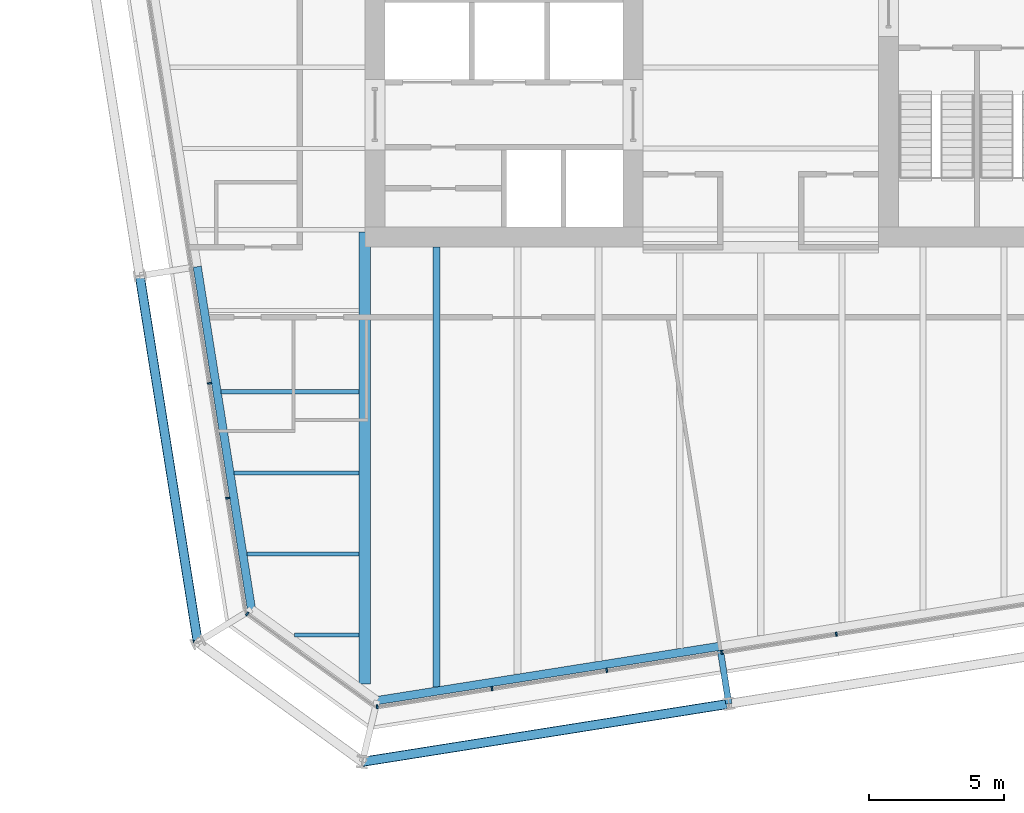
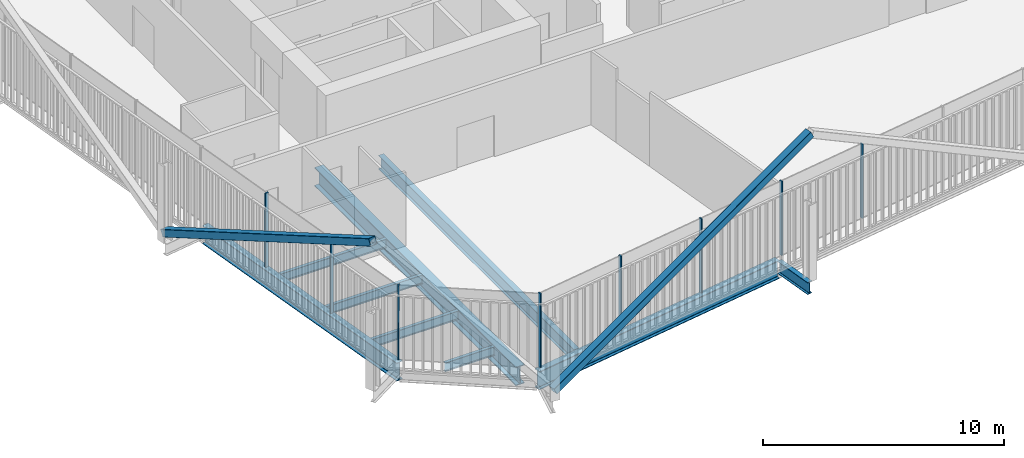
# One storey, part 2 of 22: 10 members, 9 beams, 3 elements without a shape of their own.
"""IFC4 building model written with IfcOpenShell, lengths in metres."""

import ifcopenshell
import ifcopenshell.guid

model = None  # the IFC model being written
_history = None  # IfcOwnerHistory: only IFC2X3 demands one
_inside = {}  # id of a spatial element -> (the spatial element, [elements in it])
_under = {}  # id of a project, library or spatial element -> (it, [spatial elements below it])
_declared = {}  # id of a project -> (the project, [libraries it declares])
_typed = {}  # id of a type object -> (the type object, [elements of that type])
_made_of = {}  # id of a material, layer set ... -> (it, [elements and type objects made of it])


def new_model(schema):
    """Start an empty IFC model of exactly this schema.

    Asked for "IFC4X3", IfcOpenShell would pick the latest addendum, in which some entities
    have other attributes; the version numbers below select the first issue.
    IFC2X3 requires an IfcOwnerHistory on every rooted entity: one is made here for all.
    """
    global model, _history
    if schema == "IFC4X3":
        model = ifcopenshell.file(schema_version=(4, 3, 0, 0))
    else:
        model = ifcopenshell.file(schema=schema)
    _inside.clear()
    _under.clear()
    _declared.clear()
    _typed.clear()
    _made_of.clear()
    _history = None
    if model.schema == "IFC2X3":
        org = make("IfcOrganization", Name="unknown")
        user = make(
            "IfcPersonAndOrganization",
            ThePerson=make("IfcPerson", FamilyName="unknown"),
            TheOrganization=org,
        )
        app = make(
            "IfcApplication",
            ApplicationDeveloper=org,
            Version="unknown",
            ApplicationFullName="unknown",
            ApplicationIdentifier="unknown",
        )
        _history = make(
            "IfcOwnerHistory",
            OwningUser=user,
            OwningApplication=app,
            ChangeAction="ADDED",
            CreationDate=0,
        )
    return model


def make(cls, **values):
    """One entity of the class cls with the attributes given. An attribute that is None is left unset."""
    return model.create_entity(
        cls, **{name: value for name, value in values.items() if value is not None}
    )


def rooted(cls, **values):
    """An entity with a GlobalId (a new one), such as an element, a storey or a relation."""
    return make(cls, GlobalId=ifcopenshell.guid.new(), OwnerHistory=_history, **values)


def si_unit(unit_type, name, prefix=None):
    """IfcSIUnit, for example si_unit("LENGTHUNIT", "METRE", prefix="MILLI")."""
    return make("IfcSIUnit", UnitType=unit_type, Prefix=prefix, Name=name)


def assignment(units):
    """IfcUnitAssignment: the units of a project."""
    return None if units is None else make("IfcUnitAssignment", Units=units)


def point(xyz):
    """IfcCartesianPoint."""
    return None if xyz is None else make("IfcCartesianPoint", Coordinates=xyz)


def direction(xyz):
    """IfcDirection."""
    return None if xyz is None else make("IfcDirection", DirectionRatios=xyz)


def frame(location, z_axis=None, x_axis=None):
    """IfcAxis2Placement3D, a coordinate frame: its origin and axes. An axis left out is left unset."""
    return make(
        "IfcAxis2Placement3D",
        Location=point(location),
        Axis=direction(z_axis),
        RefDirection=direction(x_axis),
    )


def frame_2d(location, x_axis=None):
    """IfcAxis2Placement2D, a coordinate frame in the plane: its origin and x axis."""
    return make(
        "IfcAxis2Placement2D", Location=point(location), RefDirection=direction(x_axis)
    )


def origin():
    """The frame at (0, 0, 0) with its axes left unset."""
    return frame((0.0, 0.0, 0.0))


def origin_2d():
    """The frame at (0, 0) in the plane with its x axis left unset."""
    return frame_2d((0.0, 0.0))


def place(relative_to, where):
    """IfcLocalPlacement: puts the frame where relative to a parent placement (None: the world)."""
    return make(
        "IfcLocalPlacement", PlacementRelTo=relative_to, RelativePlacement=where
    )


def context(
    kind, dimensions, precision=None, world=None, true_north=None, identifier=None
):
    """IfcGeometricRepresentationContext, for example the 3D "Model" context."""
    return make(
        "IfcGeometricRepresentationContext",
        ContextIdentifier=identifier,
        ContextType=kind,
        CoordinateSpaceDimension=dimensions,
        Precision=precision,
        WorldCoordinateSystem=world,
        TrueNorth=true_north,
    )


def subcontext(parent, identifier, kind, view, scale=None):
    """IfcGeometricRepresentationSubContext, for example "Body" below "Model"."""
    return make(
        "IfcGeometricRepresentationSubContext",
        ContextIdentifier=identifier,
        ContextType=kind,
        ParentContext=parent,
        TargetScale=scale,
        TargetView=view,
    )


def project(units=None, contexts=None):
    """IfcProject with its units and contexts."""
    return rooted(
        "IfcProject",
        Name="project",
        RepresentationContexts=contexts,
        UnitsInContext=assignment(units),
    )


def spatial(cls, under=None, at=None, **own):
    """A site, building, storey or space (cls), placed at a placement, below another one or the project."""
    s = rooted(cls, ObjectPlacement=at, **own)
    if under is not None:
        _under.setdefault(under.id(), (under, []))[1].append(s)
    return s


def profile(cls, at=None, kind="AREA", **sizes):
    """A parametric profile (cls). Its sizes go by their IFC names, for example OverallWidth=200.0."""
    return make(cls, ProfileType=kind, Position=at, **sizes)


def rectangle(**sizes):
    """IfcRectangleProfileDef."""
    return profile("IfcRectangleProfileDef", **sizes)


def hollow_rectangle(**sizes):
    """IfcRectangleHollowProfileDef."""
    return profile("IfcRectangleHollowProfileDef", **sizes)


def i_section(**sizes):
    """IfcIShapeProfileDef."""
    return profile("IfcIShapeProfileDef", **sizes)


def extrude(swept, where, along, depth):
    """IfcExtrudedAreaSolid: the profile swept, set in the frame where, extruded along a direction by depth."""
    return make(
        "IfcExtrudedAreaSolid",
        SweptArea=swept,
        Position=where,
        ExtrudedDirection=direction(along),
        Depth=depth,
    )


def shape(context_of_items, identifier, shape_type, items):
    """IfcShapeRepresentation: the items that make up one representation, for example the "Body"."""
    return make(
        "IfcShapeRepresentation",
        ContextOfItems=context_of_items,
        RepresentationIdentifier=identifier,
        RepresentationType=shape_type,
        Items=items,
    )


def material(Name=None, Category=None):
    """IfcMaterial."""
    return make("IfcMaterial", Name=Name, Category=Category)


def layer(
    of_material, thickness, ventilated=None, Name=None, Category=None, Priority=None
):
    """IfcMaterialLayer: one layer of a wall or slab, of a material (None: an air gap)."""
    return make(
        "IfcMaterialLayer",
        Material=of_material,
        LayerThickness=thickness,
        IsVentilated=ventilated,
        Name=Name,
        Category=Category,
        Priority=Priority,
    )


def layer_set(layers, Name=None):
    """IfcMaterialLayerSet."""
    return make("IfcMaterialLayerSet", MaterialLayers=layers, LayerSetName=Name)


def material_profile(
    of_material, cross_section, Name=None, Category=None, Priority=None
):
    """IfcMaterialProfile: a cross section and its material."""
    return make(
        "IfcMaterialProfile",
        Name=Name,
        Material=of_material,
        Profile=cross_section,
        Priority=Priority,
        Category=Category,
    )


def profile_set(profiles, Name=None, composite=None):
    """IfcMaterialProfileSet."""
    return make(
        "IfcMaterialProfileSet",
        Name=Name,
        MaterialProfiles=profiles,
        CompositeProfile=composite,
    )


def made_of(thing, what):
    """Note that an element or type object is made of a material, layer set ...; save() writes the relation."""
    if what is not None:
        _made_of.setdefault(what.id(), (what, []))[1].append(thing)
    return thing


def type_object(cls, material=None, **own):
    """A type object (cls), such as IfcWallType, which elements share."""
    return made_of(rooted(cls, **own), material)


def element(
    cls,
    number,
    at=None,
    inside=None,
    cuts=None,
    type_object=None,
    material=None,
    context=None,
    identifier="Body",
    shape_type=None,
    held_by="IfcProductDefinitionShape",
    body=None,
    shapes=None,
    **own,
):
    """One element of the class cls, such as IfcWall. Its Tag is "e" and its number.

    at: its placement. inside: the storey or other place that contains it. cuts: it is an
    opening in that element (IfcRelVoidsElement). A single representation is given by context,
    identifier, shape_type and body (its items); several are given by shapes. held_by: the class
    of the entity that holds the representations. save() writes the other relations.
    """
    e = rooted(cls, Tag="e%d" % number, ObjectPlacement=at, **own)
    if body is not None:
        shapes = [shape(context, identifier, shape_type, body)]
    if shapes is not None:
        e.Representation = make(held_by, Representations=shapes)
    if inside is not None:
        _inside.setdefault(inside.id(), (inside, []))[1].append(e)
    if cuts is not None:
        rooted(
            "IfcRelVoidsElement", RelatingBuildingElement=cuts, RelatedOpeningElement=e
        )
    if type_object is not None:
        _typed.setdefault(type_object.id(), (type_object, []))[1].append(e)
    return made_of(e, material)


def aggregate(whole, parts):
    """IfcRelAggregates: a whole, such as a stair, and the parts it consists of."""
    return rooted("IfcRelAggregates", RelatingObject=whole, RelatedObjects=parts)


def save(model, path):
    """Write the relations noted so far, then the file.

    IfcRelAggregates (storeys below a building ...), IfcRelContainedInSpatialStructure (elements
    in a storey), IfcRelDefinesByType, IfcRelAssociatesMaterial and IfcRelDeclares: one each for
    every whole, place, type object, material and project.
    """
    for whole, parts in _under.values():
        aggregate(whole, parts)
    for where, things in _inside.values():
        rooted(
            "IfcRelContainedInSpatialStructure",
            RelatedElements=things,
            RelatingStructure=where,
        )
    for kind, things in _typed.values():
        rooted("IfcRelDefinesByType", RelatedObjects=things, RelatingType=kind)
    for what, things in _made_of.values():
        rooted("IfcRelAssociatesMaterial", RelatedObjects=things, RelatingMaterial=what)
    for by, libraries in _declared.values():
        rooted("IfcRelDeclares", RelatingContext=by, RelatedDefinitions=libraries)
    model.write(path)


model = new_model("IFC4")

# Units and contexts
model_context = context("Model", 3, precision=1e-05, world=origin(), true_north=direction((0.0, 1.0)))
body_context = subcontext(model_context, "Body", "Model", "MODEL_VIEW")
ifc_project = project(units=[si_unit("LENGTHUNIT", "METRE"), si_unit("AREAUNIT", "SQUARE_METRE"), si_unit("VOLUMEUNIT", "CUBIC_METRE"), si_unit("PLANEANGLEUNIT", "RADIAN"), si_unit("MASSUNIT", "GRAM", prefix="KILO")], contexts=[model_context])

# Site, building, storey
site_placement = place(None, origin())
site = spatial("IfcSite", under=ifc_project, at=site_placement, CompositionType="ELEMENT")
building_placement = place(site_placement, origin())
building = spatial("IfcBuilding", under=site, at=building_placement, Name="Millrace Tower", CompositionType="ELEMENT")
storey_placement = place(building_placement, frame((0.0, 0.0, 152.89990234375)))
storey = spatial("IfcBuildingStorey", under=building, at=storey_placement, Name="L34", CompositionType="ELEMENT", Elevation=152.89990234375)

# Curtain wall, member
ifc_material_1 = material(Name="Aluminium and glass", Category="aluminium")
ifc_layer = layer(ifc_material_1, 0.14990234375)
ifc_layer_set = layer_set([ifc_layer], Name="Aluminium and glass")
curtain_wall_type = type_object("IfcCurtainWallType", Name="CW-1 office vision curtain wall", PredefinedType="NOTDEFINED", material=ifc_layer_set)
placement = place(storey_placement, origin())
curtain_wall_1 = element("IfcCurtainWall", 1, at=placement, inside=storey, type_object=curtain_wall_type, Name="Curtain wall C-F01 L34", PredefinedType="NOTDEFINED")
ifc_material_2 = material(Name="Aluminium", Category="aluminium")
ifc_material_profile_1 = material_profile(ifc_material_2, rectangle(XDim=0.06494140625, YDim=0.14990234375, at=origin_2d()))
ifc_profile_set_1 = profile_set([ifc_material_profile_1], Name="Aluminium")
member_type_1 = type_object("IfcMemberType", Name="CW-1 office vision curtain wall mullion", PredefinedType="MULLION", material=ifc_profile_set_1)
member_1_placement = place(storey_placement, frame((-19.00146484375, -23.2177734375, 0.14013671875), z_axis=(0.0, 0.0, 1.0), x_axis=(0.809016981623, -0.587785269844, 0.0)))
member_1 = element("IfcMember", 2, at=member_1_placement, type_object=member_type_1, Name="CW1 mullion C-F01.1", PredefinedType="MULLION", context=body_context, shape_type="SweptSolid", body=[
    extrude(rectangle(XDim=0.06494140625, YDim=0.14990234375, at=origin_2d()), origin(), (0.0, 0.0, 1.0), 3.760009765625),
])
aggregate(curtain_wall_1, [member_1])

# Curtain wall, members
curtain_wall_2 = element("IfcCurtainWall", 3, at=placement, inside=storey, type_object=curtain_wall_type, Name="Curtain wall C-F02 L34", PredefinedType="NOTDEFINED")
member_2_placement = place(storey_placement, frame((-14.191650390625, -26.65673828125, 0.14013671875), z_axis=(0.0, 0.0, 1.0), x_axis=(0.98768833929, 0.15643447328, 0.0)))
member_2 = element("IfcMember", 4, at=member_2_placement, type_object=member_type_1, Name="CW1 mullion C-F02.1", PredefinedType="MULLION", context=body_context, shape_type="SweptSolid", body=[
    extrude(rectangle(XDim=0.06494140625, YDim=0.14990234375, at=origin_2d()), origin(), (0.0, 0.0, 1.0), 3.760009765625),
])
member_3_placement = place(storey_placement, frame((-9.944580078125, -25.98388671875, 0.14013671875), z_axis=(0.0, 0.0, 1.0), x_axis=(0.98768833929, 0.15643447328, 0.0)))
member_3 = element("IfcMember", 5, at=member_3_placement, type_object=member_type_1, Name="CW1 mullion C-F02.2", PredefinedType="MULLION", context=body_context, shape_type="SweptSolid", body=[
    extrude(rectangle(XDim=0.06494140625, YDim=0.14990234375, at=origin_2d()), origin(), (0.0, 0.0, 1.0), 3.760009765625),
])
member_4_placement = place(storey_placement, frame((-5.697509765625, -25.311279296875, 0.14013671875), z_axis=(0.0, 0.0, 1.0), x_axis=(0.98768833929, 0.15643447328, 0.0)))
member_4 = element("IfcMember", 6, at=member_4_placement, type_object=member_type_1, Name="CW1 mullion C-F02.3", PredefinedType="MULLION", context=body_context, shape_type="SweptSolid", body=[
    extrude(rectangle(XDim=0.06494140625, YDim=0.14990234375, at=origin_2d()), origin(), (0.0, 0.0, 1.0), 3.760009765625),
])
member_5_placement = place(storey_placement, frame((-1.450439453125, -24.638671875, 0.14013671875), z_axis=(0.0, 0.0, 1.0), x_axis=(0.98768833929, 0.15643447328, 0.0)))
member_5 = element("IfcMember", 7, at=member_5_placement, type_object=member_type_1, Name="CW1 mullion C-F02.4", PredefinedType="MULLION", context=body_context, shape_type="SweptSolid", body=[
    extrude(rectangle(XDim=0.06494140625, YDim=0.14990234375, at=origin_2d()), origin(), (0.0, 0.0, 1.0), 3.760009765625),
])
member_6_placement = place(storey_placement, frame((2.796630859375, -23.966064453125, 0.14013671875), z_axis=(0.0, 0.0, 1.0), x_axis=(0.98768833929, 0.15643447328, 0.0)))
member_6 = element("IfcMember", 8, at=member_6_placement, type_object=member_type_1, Name="CW1 mullion C-F02.5", PredefinedType="MULLION", context=body_context, shape_type="SweptSolid", body=[
    extrude(rectangle(XDim=0.06494140625, YDim=0.14990234375, at=origin_2d()), origin(), (0.0, 0.0, 1.0), 3.760009765625),
])
aggregate(curtain_wall_2, [member_2, member_3, member_4, member_5, member_6])

curtain_wall_3 = element("IfcCurtainWall", 9, at=placement, inside=storey, type_object=curtain_wall_type, Name="Curtain wall C-F08 L34", PredefinedType="NOTDEFINED")
member_7_placement = place(storey_placement, frame((-20.39794921875, -14.687744140625, 0.14013671875), z_axis=(0.0, 0.0, 1.0), x_axis=(0.15643447328, -0.98768833929, 0.0)))
member_7 = element("IfcMember", 10, at=member_7_placement, type_object=member_type_1, Name="CW1 mullion C-F08.8", PredefinedType="MULLION", context=body_context, shape_type="SweptSolid", body=[
    extrude(rectangle(XDim=0.06494140625, YDim=0.14990234375, at=origin_2d()), origin(), (0.0, 0.0, 1.0), 3.760009765625),
])
member_8_placement = place(storey_placement, frame((-19.725341796875, -18.934814453125, 0.14013671875), z_axis=(0.0, 0.0, 1.0), x_axis=(0.15643447328, -0.98768833929, 0.0)))
member_8 = element("IfcMember", 11, at=member_8_placement, type_object=member_type_1, Name="CW1 mullion C-F08.9", PredefinedType="MULLION", context=body_context, shape_type="SweptSolid", body=[
    extrude(rectangle(XDim=0.06494140625, YDim=0.14990234375, at=origin_2d()), origin(), (0.0, 0.0, 1.0), 3.760009765625),
])
aggregate(curtain_wall_3, [member_7, member_8])

# Members
ifc_material_3 = material(Name="Steel ASTM A500 Grade C", Category="steel")
ifc_material_profile_2 = material_profile(ifc_material_3, hollow_rectangle(XDim=0.355712890625, YDim=0.355712890625, WallThickness=0.015869140625, InnerFilletRadius=0.008056640625, OuterFilletRadius=0.02392578125, at=origin_2d()))
ifc_profile_set_2 = profile_set([ifc_material_profile_2], Name="Steel ASTM A500 Grade C")
member_type_2 = type_object("IfcMemberType", Name="Exoskeleton brace HSS14x14x5/8", PredefinedType="BRACE", material=ifc_profile_set_2)
member_9_placement = place(storey_placement, frame((-14.740966796875, -28.692626953125, 0.400146484375), z_axis=(0.879910131664, 0.139353430287, 0.454245287992), x_axis=(-0.15642281023, 0.987690186465, 0.0)))
element("IfcMember", 12, at=member_9_placement, inside=storey, type_object=member_type_2, Name="BRC-C-L34-02", PredefinedType="BRACE", context=body_context, shape_type="SweptSolid", body=[
    extrude(hollow_rectangle(XDim=0.355712890625, YDim=0.355712890625, WallThickness=0.015869140625, InnerFilletRadius=0.008056640625, OuterFilletRadius=0.02392578125, at=origin_2d()), origin(), (0.0, 0.0, 1.0), 15.41015625),
])
member_10_placement = place(storey_placement, frame((-22.97705078125, -10.709716796875, 0.400146484375), z_axis=(0.139370908249, -0.879904612171, 0.454250617407), x_axis=(0.987687003601, 0.156442906258, 0.0)))
element("IfcMember", 13, at=member_10_placement, inside=storey, type_object=member_type_2, Name="BRC-C-L34-16", PredefinedType="BRACE", context=body_context, shape_type="SweptSolid", body=[
    extrude(hollow_rectangle(XDim=0.355712890625, YDim=0.355712890625, WallThickness=0.015869140625, InnerFilletRadius=0.008056640625, OuterFilletRadius=0.02392578125, at=origin_2d()), origin(), (0.0, 0.0, 1.0), 15.409912109375),
])

# Beams
ifc_material_4 = material(Name="Steel ASTM A992 Grade 50", Category="steel")
ifc_material_profile_3 = material_profile(ifc_material_4, i_section(OverallWidth=0.15234375, OverallDepth=0.449462890625, WebThickness=0.007568359375, FlangeThickness=0.0107421875, FilletRadius=0.01025390625, at=origin_2d()))
ifc_profile_set_3 = profile_set([ifc_material_profile_3], Name="Steel ASTM A992 Grade 50")
beam_type_1 = type_object("IfcBeamType", Name="Floor beam W18x35", PredefinedType="JOIST", material=ifc_profile_set_3)
beam_1_placement = place(storey_placement, frame((-19.01123046875, -21.0, -0.384765625), z_axis=(1.0, 0.0, 0.0), x_axis=(0.0, 1.0, 0.0)))
element("IfcBeam", 14, at=beam_1_placement, inside=storey, type_object=beam_type_1, Name="BM-C-L34-S1-S002", PredefinedType="JOIST", context=body_context, shape_type="SweptSolid", body=[
    extrude(i_section(OverallWidth=0.15234375, OverallDepth=0.449462890625, WebThickness=0.007568359375, FlangeThickness=0.0107421875, FilletRadius=0.01025390625, at=origin_2d()), origin(), (0.0, 0.0, 1.0), 4.151611328125),
])
beam_2_placement = place(storey_placement, frame((-19.486328125, -18.0, -0.384765625), z_axis=(1.0, 0.0, 0.0), x_axis=(0.0, 1.0, 0.0)))
element("IfcBeam", 15, at=beam_2_placement, inside=storey, type_object=beam_type_1, Name="BM-C-L34-S1-S004", PredefinedType="JOIST", context=body_context, shape_type="SweptSolid", body=[
    extrude(i_section(OverallWidth=0.15234375, OverallDepth=0.449462890625, WebThickness=0.007568359375, FlangeThickness=0.0107421875, FilletRadius=0.01025390625, at=origin_2d()), origin(), (0.0, 0.0, 1.0), 4.626708984375),
])
beam_3_placement = place(storey_placement, frame((-19.96142578125, -15.0, -0.384765625), z_axis=(1.0, 0.0, 0.0), x_axis=(0.0, 1.0, 0.0)))
element("IfcBeam", 16, at=beam_3_placement, inside=storey, type_object=beam_type_1, Name="BM-C-L34-S1-S006", PredefinedType="JOIST", context=body_context, shape_type="SweptSolid", body=[
    extrude(i_section(OverallWidth=0.15234375, OverallDepth=0.449462890625, WebThickness=0.007568359375, FlangeThickness=0.0107421875, FilletRadius=0.01025390625, at=origin_2d()), origin(), (0.0, 0.0, 1.0), 5.101806640625),
])
beam_4_placement = place(storey_placement, frame((-17.246337890625, -24.0, -0.384765625), z_axis=(1.0, 0.0, 0.0), x_axis=(0.0, 1.0, 0.0)))
element("IfcBeam", 17, at=beam_4_placement, inside=storey, type_object=beam_type_1, Name="BM-C-L34-S1-S001", PredefinedType="JOIST", context=body_context, shape_type="SweptSolid", body=[
    extrude(i_section(OverallWidth=0.15234375, OverallDepth=0.449462890625, WebThickness=0.007568359375, FlangeThickness=0.0107421875, FilletRadius=0.01025390625, at=origin_2d()), origin(), (0.0, 0.0, 1.0), 2.38671875),
])
ifc_material_5 = material(Name="Steel ASTM A992 Grade 50", Category="steel")
ifc_material_profile_4 = material_profile(ifc_material_5, i_section(OverallWidth=0.256591796875, OverallDepth=0.693359375, WebThickness=0.014404296875, FlangeThickness=0.023681640625, FilletRadius=0.01513671875, at=origin_2d()))
ifc_profile_set_4 = profile_set([ifc_material_profile_4], Name="Steel ASTM A992 Grade 50")
beam_type_2 = type_object("IfcBeamType", Name="Floor beam W27x114", PredefinedType="JOIST", material=ifc_profile_set_4)
beam_5_placement = place(storey_placement, frame((-12.0, -25.92236328125, -0.506591796875), z_axis=(0.0, 1.0, 0.0), x_axis=(-1.0, 0.0, 0.0)))
element("IfcBeam", 18, at=beam_5_placement, inside=storey, type_object=beam_type_2, Name="BM-C-L34-S1-S040", PredefinedType="JOIST", context=body_context, shape_type="SweptSolid", body=[
    extrude(i_section(OverallWidth=0.256591796875, OverallDepth=0.693359375, WebThickness=0.014404296875, FlangeThickness=0.023681640625, FilletRadius=0.01513671875, at=origin_2d()), origin(), (0.0, 0.0, 1.0), 16.2724609375),
])
ifc_material_6 = material(Name="Steel ASTM A992 Grade 50", Category="steel")
ifc_material_profile_5 = material_profile(ifc_material_6, i_section(OverallWidth=0.424072265625, OverallDepth=0.947509765625, WebThickness=0.02392578125, FlangeThickness=0.042724609375, FilletRadius=0.024169921875, at=origin_2d()))
ifc_profile_set_5 = profile_set([ifc_material_profile_5], Name="Steel ASTM A992 Grade 50")
beam_type_3 = type_object("IfcBeamType", Name="Girder medium span W36x302", PredefinedType="BEAM", material=ifc_profile_set_5)
beam_6_placement = place(storey_placement, frame((-14.64990234375, -25.806640625, -0.633544921875), z_axis=(0.0, 1.0, 0.0), x_axis=(-1.0, 0.0, 0.0)))
element("IfcBeam", 19, at=beam_6_placement, inside=storey, type_object=beam_type_3, Name="BM-C-L34-S1-G058", PredefinedType="BEAM", context=body_context, shape_type="SweptSolid", body=[
    extrude(i_section(OverallWidth=0.424072265625, OverallDepth=0.947509765625, WebThickness=0.02392578125, FlangeThickness=0.042724609375, FilletRadius=0.024169921875, at=origin_2d()), origin(), (0.0, 0.0, 1.0), 16.720703125),
])
ifc_material_7 = material(Name="Steel ASTM A992 Grade 50", Category="steel")
ifc_material_profile_6 = material_profile(ifc_material_7, i_section(OverallWidth=0.23046875, OverallDepth=0.6171875, WebThickness=0.01318359375, FlangeThickness=0.022216796875, FilletRadius=0.012939453125, at=origin_2d()))
ifc_profile_set_6 = profile_set([ifc_material_profile_6], Name="Steel ASTM A992 Grade 50")
beam_type_4 = type_object("IfcBeamType", Name="Link beam W24x94", PredefinedType="BEAM", material=ifc_profile_set_6)
beam_7_placement = place(storey_placement, frame((-1.494384765625, -24.569580078125, -0.468505859375), z_axis=(0.156476509441, -0.987681680499, 0.0), x_axis=(0.987681680499, 0.156476509441, 0.0)))
element("IfcBeam", 20, at=beam_7_placement, inside=storey, type_object=beam_type_4, Name="LNK-C-L34-S1-15", PredefinedType="BEAM", context=body_context, shape_type="SweptSolid", body=[
    extrude(i_section(OverallWidth=0.23046875, OverallDepth=0.6171875, WebThickness=0.01318359375, FlangeThickness=0.022216796875, FilletRadius=0.012939453125, at=origin_2d()), origin(), (0.0, 0.0, 1.0), 2.000244140625),
])
ifc_material_8 = material(Name="Steel ASTM A992 Grade 50", Category="steel")
ifc_material_profile_7 = material_profile(ifc_material_8, i_section(OverallWidth=0.307373046875, OverallDepth=0.927001953125, WebThickness=0.01953125, FlangeThickness=0.031982421875, FilletRadius=0.01904296875, at=origin_2d()))
ifc_profile_set_7 = profile_set([ifc_material_profile_7], Name="Steel ASTM A992 Grade 50")
beam_type_5 = type_object("IfcBeamType", Name="Ring beam medium span W36x194", PredefinedType="SPANDREL", material=ifc_profile_set_7)
beam_8_placement = place(storey_placement, frame((-18.841796875, -23.051025390625, -0.62353515625), z_axis=(-0.156436246498, 0.987688058438, 0.0), x_axis=(-0.987688058438, -0.156436246498, 0.0)))
element("IfcBeam", 21, at=beam_8_placement, inside=storey, type_object=beam_type_5, Name="RNG-C-L34-S1-01", PredefinedType="SPANDREL", context=body_context, shape_type="SweptSolid", body=[
    extrude(i_section(OverallWidth=0.307373046875, OverallDepth=0.927001953125, WebThickness=0.01953125, FlangeThickness=0.031982421875, FilletRadius=0.01904296875, at=origin_2d()), origin(), (0.0, 0.0, 1.0), 12.836181640625),
])
beam_9_placement = place(storey_placement, frame((-1.518310546875, -24.41796875, -0.62353515625), z_axis=(-0.987688523879, -0.15643330783, 0.0), x_axis=(0.15643330783, -0.987688523879, 0.0)))
element("IfcBeam", 22, at=beam_9_placement, inside=storey, type_object=beam_type_5, Name="RNG-C-L34-S1-15", PredefinedType="SPANDREL", context=body_context, shape_type="SweptSolid", body=[
    extrude(i_section(OverallWidth=0.307373046875, OverallDepth=0.927001953125, WebThickness=0.01953125, FlangeThickness=0.031982421875, FilletRadius=0.01904296875, at=origin_2d()), origin(), (0.0, 0.0, 1.0), 12.83642578125),
])

save(model, "model.ifc")
